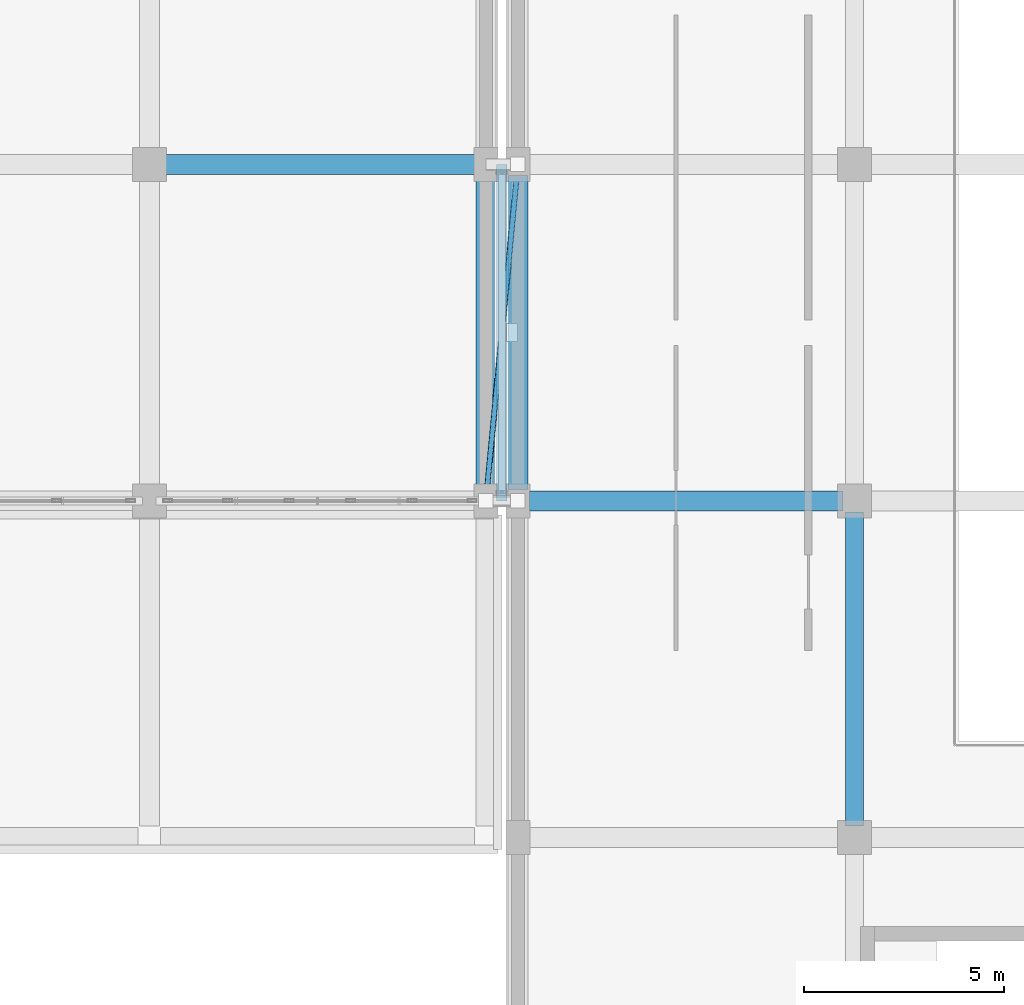
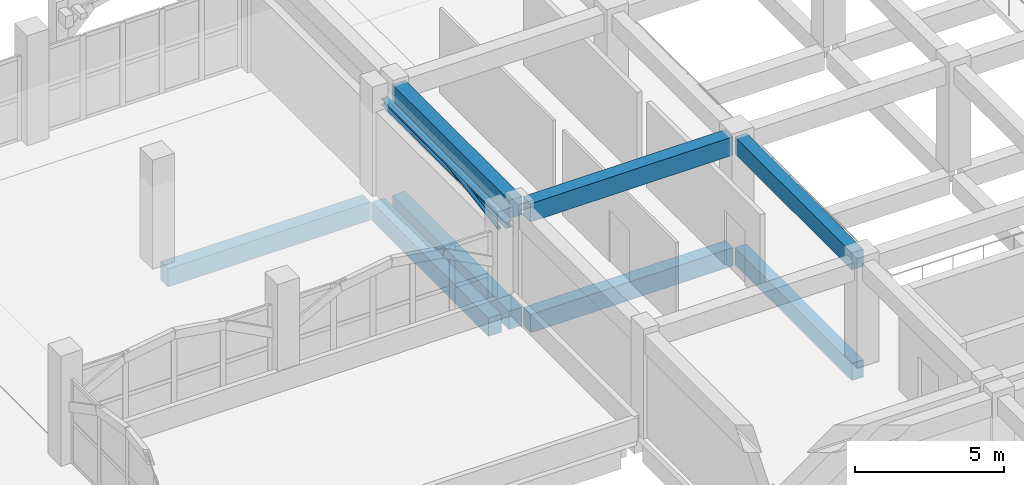
# One storey, part 60 of 129: 9 beams, 1 member.
"""IFC4 building model written with IfcOpenShell, lengths in metres."""

from ifc_helpers import new_model, si_unit, direction, frame, origin, origin_2d, place, context, subcontext, project, spatial, rectangle, hollow_circle, i_section, extrude, material, material_profile, profile_set, type_object, element, save


model = new_model("IFC4")

# Units and contexts
model_context = context("Model", 3, precision=1e-05, world=origin(), true_north=direction((0.0, 1.0)))
body_context = subcontext(model_context, "Body", "Model", "MODEL_VIEW")
ifc_project = project(units=[si_unit("LENGTHUNIT", "METRE"), si_unit("AREAUNIT", "SQUARE_METRE"), si_unit("VOLUMEUNIT", "CUBIC_METRE"), si_unit("PLANEANGLEUNIT", "RADIAN"), si_unit("MASSUNIT", "GRAM", prefix="KILO")], contexts=[model_context])

# Site, building, storey
site_placement = place(None, origin())
site = spatial("IfcSite", under=ifc_project, at=site_placement, CompositionType="ELEMENT")
building_placement = place(site_placement, origin())
building = spatial("IfcBuilding", under=site, at=building_placement, Name="Xazarin Passage Department Store", CompositionType="ELEMENT")
storey_placement = place(building_placement, frame((0.0, 0.0, 9.89990234375)))
storey = spatial("IfcBuildingStorey", under=building, at=storey_placement, Name="L02", CompositionType="ELEMENT", Elevation=9.89990234375)

# Beams
ifc_material_1 = material(Name="Steel S355", Category="steel")
ifc_material_profile_1 = material_profile(ifc_material_1, i_section(OverallWidth=0.260009765625, OverallDepth=0.25, WebThickness=0.007568359375, FlangeThickness=0.012451171875, FilletRadius=0.02392578125, at=origin_2d()), Name="HEA 260")
ifc_profile_set_1 = profile_set([ifc_material_profile_1], Name="Steel S355")
beam_type_1 = type_object("IfcBeamType", Name="STR-BM-CAN260", PredefinedType="BEAM", material=ifc_profile_set_1)
beam_1_placement = place(storey_placement, frame((67.60009765625, 68.0, 3.47509765625), z_axis=(0.0, 1.0, 0.0), x_axis=(-1.0, 0.0, 0.0)))
element("IfcBeam", 1, at=beam_1_placement, inside=storey, type_object=beam_type_1, Name="L02 BR-V1-V2N Bridge Roof Mid Beam", PredefinedType="BEAM", context=body_context, shape_type="SweptSolid", body=[
    extrude(i_section(OverallWidth=0.260009765625, OverallDepth=0.25, WebThickness=0.007568359375, FlangeThickness=0.012451171875, FilletRadius=0.02392578125, at=origin_2d()), origin(), (0.0, 0.0, 1.0), 8.39990234375),
])
ifc_material_2 = material(Name="Concrete C35/45", Category="concrete")
ifc_material_profile_2 = material_profile(ifc_material_2, rectangle(XDim=0.449951171875, YDim=0.699951171875, at=origin_2d()), Name="RC 450x700")
ifc_profile_set_2 = profile_set([ifc_material_profile_2], Name="Concrete C35/45")
beam_type_2 = type_object("IfcBeamType", Name="STR-BM-G450x700", PredefinedType="BEAM", material=ifc_profile_set_2)
for number, where, z_axis, x_axis, name in (
    (2, (76.39990234375, 59.8798828125, -0.64990234375), (0.0, 1.0, 0.0), (-1.0, 0.0, 0.0), "L02 Grid Beam 11/J-K"),
    (3, (76.39990234375, 59.8798828125, 3.89013671875), (0.0, 1.0, 0.0), (-1.0, 0.0, 0.0), "L02 Grid Beam 11/J-K"),
):
    element("IfcBeam", number, at=place(storey_placement, frame(where, z_axis=z_axis, x_axis=x_axis)), inside=storey, type_object=beam_type_2, Name=name, PredefinedType="BEAM", context=body_context, shape_type="SweptSolid", body=[
        extrude(rectangle(XDim=0.449951171875, YDim=0.699951171875, at=origin_2d()), origin(), (0.0, 0.0, 1.0), 7.840087890625),
    ])
ifc_material_profile_3 = material_profile(ifc_material_2, rectangle(XDim=0.5, YDim=0.75, at=origin_2d()), Name="RC 500x750")
ifc_profile_set_3 = profile_set([ifc_material_profile_3], Name="Concrete C35/45")
beam_type_3 = type_object("IfcBeamType", Name="STR-BM-SP500x750", PredefinedType="SPANDREL", material=ifc_profile_set_3)
beam_2_placement = place(storey_placement, frame((59.080078125, 76.39990234375, -0.6748046875), z_axis=(1.0, 0.0, 0.0), x_axis=(0.0, 1.0, 0.0)))
element("IfcBeam", 4, at=beam_2_placement, inside=storey, type_object=beam_type_3, Name="L02 Grid Beam L/8-9", PredefinedType="SPANDREL", context=body_context, shape_type="SweptSolid", body=[
    extrude(rectangle(XDim=0.5, YDim=0.75, at=origin_2d()), origin(), (0.0, 0.0, 1.0), 7.83984375),
])
for number, where, z_axis, x_axis, name in (
    (5, (67.199951171875, 68.280029296875, -0.6748046875), (0.0, 1.0, 0.0), (-1.0, 0.0, 0.0), "L02 Grid Beam 9/K-L"),
    (6, (68.280029296875, 68.0, -0.6748046875), (1.0, 0.0, 0.0), (0.0, 1.0, 0.0), "L02 Grid Beam K/10-11"),
    (7, (68.0, 68.280029296875, -0.6748046875), (0.0, 1.0, 0.0), (-1.0, 0.0, 0.0), "L02 Grid Beam 10/K-L"),
    (8, (68.280029296875, 68.0, 3.864990234375), (1.0, 0.0, 0.0), (0.0, 1.0, 0.0), "L02 Grid Beam K/10-11"),
    (9, (68.0, 68.280029296875, 3.864990234375), (0.0, 1.0, 0.0), (-1.0, 0.0, 0.0), "L02 Grid Beam 10/K-L"),
):
    element("IfcBeam", number, at=place(storey_placement, frame(where, z_axis=z_axis, x_axis=x_axis)), inside=storey, type_object=beam_type_3, Name=name, PredefinedType="SPANDREL", context=body_context, shape_type="SweptSolid", body=[
        extrude(rectangle(XDim=0.5, YDim=0.75, at=origin_2d()), origin(), (0.0, 0.0, 1.0), 7.840087890625),
    ])

# Member
ifc_material_profile_4 = material_profile(ifc_material_1, hollow_circle(Radius=0.06982421875, WallThickness=0.008056640625, at=origin_2d()), Name="CHS 139.7x8")
ifc_profile_set_4 = profile_set([ifc_material_profile_4], Name="Steel S355")
member_type = type_object("IfcMemberType", Name="STR-MEM-BR140", PredefinedType="BRACE", material=ifc_profile_set_4)
member_placement = place(storey_placement, frame((67.199951171875, 68.0, 3.47509765625), z_axis=(0.094815919692, 0.995494822374, 0.0), x_axis=(-0.995494822374, 0.094815919692, 0.0)))
element("IfcMember", 10, at=member_placement, inside=storey, type_object=member_type, Name="L02 BR-V1-V2N Bridge Roof Wind Diagonal", PredefinedType="BRACE", context=body_context, shape_type="SweptSolid", body=[
    extrude(hollow_circle(Radius=0.06982421875, WallThickness=0.008056640625, at=origin_2d()), origin(), (0.0, 0.0, 1.0), 8.43798828125),
])

save(model, "model.ifc")
